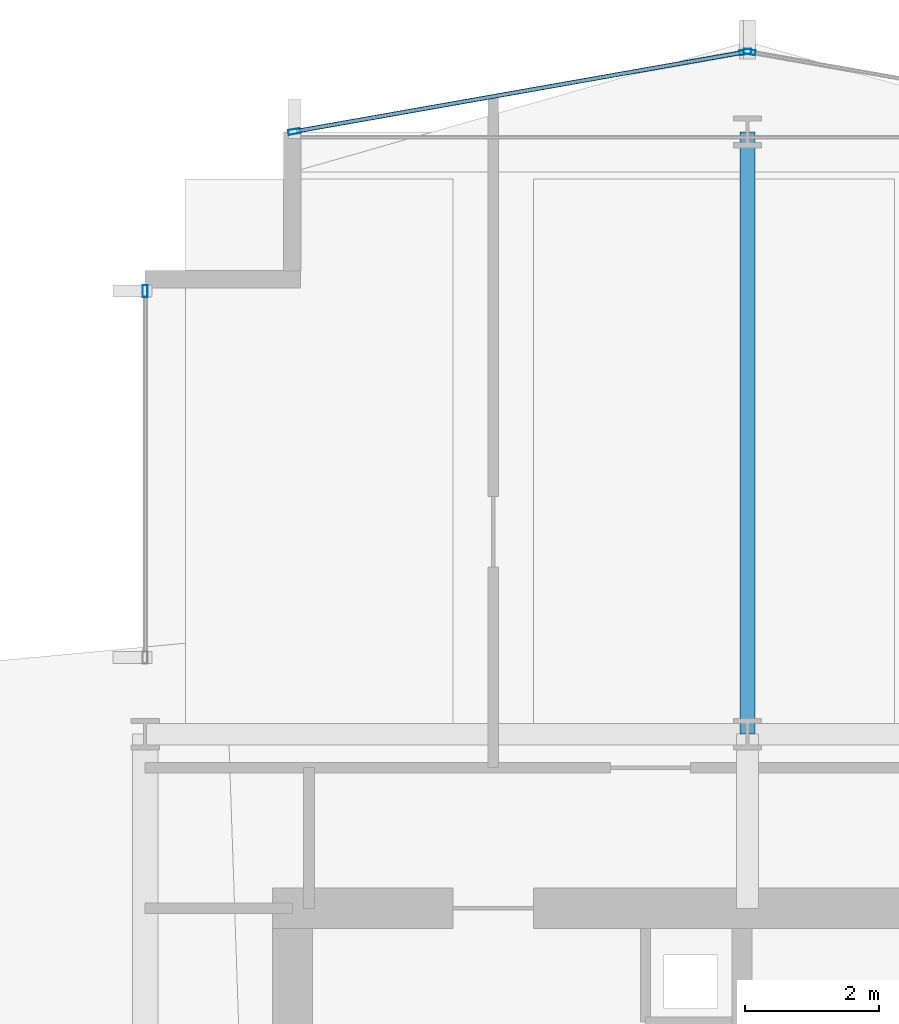
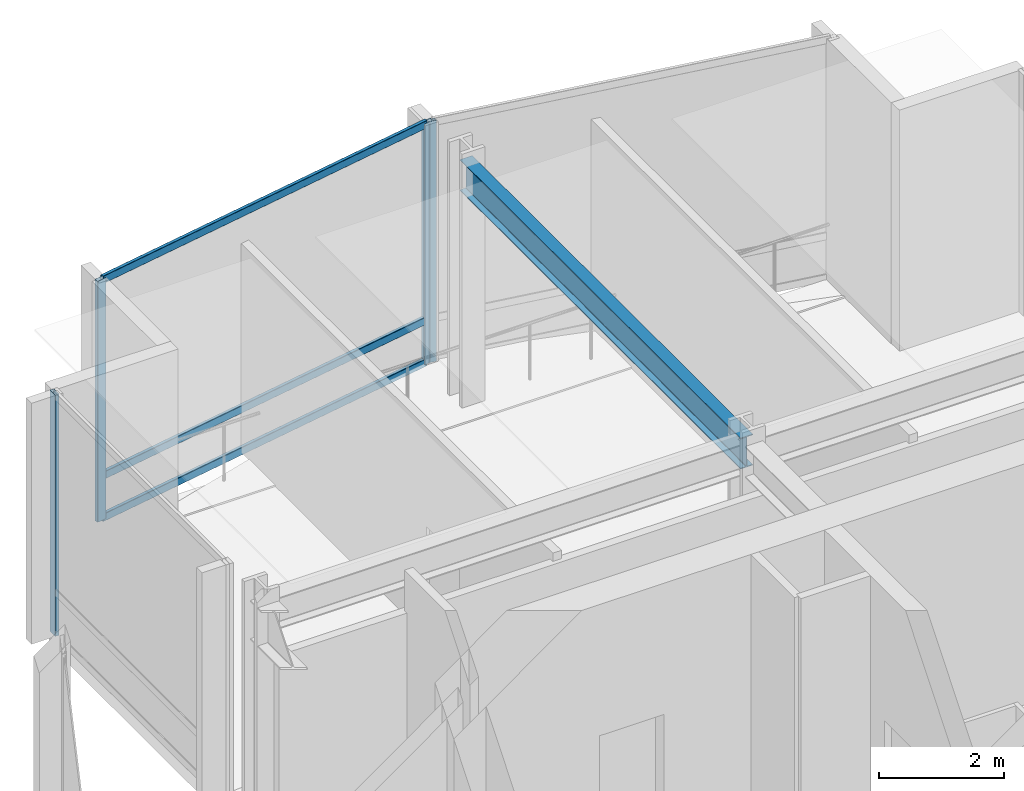
# One storey, part 25 of 39: 7 members, 1 beam, 3 elements without a shape of their own.
"""IFC4 building model written with IfcOpenShell, lengths in metres."""

from ifc_helpers import new_model, si_unit, direction, frame, origin, origin_2d, place, context, subcontext, project, spatial, hollow_rectangle, i_section, extrude, material, layer, layer_set, material_profile, profile_set, type_object, element, aggregate, save


model = new_model("IFC4")

# Units and contexts
model_context = context("Model", 3, precision=1e-05, world=origin(), true_north=direction((0.0, 1.0)))
body_context = subcontext(model_context, "Body", "Model", "MODEL_VIEW")
ifc_project = project(units=[si_unit("LENGTHUNIT", "METRE"), si_unit("AREAUNIT", "SQUARE_METRE"), si_unit("VOLUMEUNIT", "CUBIC_METRE"), si_unit("PLANEANGLEUNIT", "RADIAN"), si_unit("MASSUNIT", "GRAM", prefix="KILO")], contexts=[model_context])

# Site, building, storey
site_placement = place(None, origin())
site = spatial("IfcSite", under=ifc_project, at=site_placement, CompositionType="ELEMENT")
building_placement = place(site_placement, origin())
building = spatial("IfcBuilding", under=site, at=building_placement, Name="Solvaryn Broadcast Tower", CompositionType="ELEMENT")
storey_placement = place(building_placement, frame((0.0, 0.0, 84.10009765625)))
storey = spatial("IfcBuildingStorey", under=building, at=storey_placement, Name="L20", CompositionType="ELEMENT", Elevation=84.10009765625)

# Beam
ifc_material_1 = material(Name="Steel ASTM A992 Grade 50", Category="steel")
ifc_material_profile_1 = material_profile(ifc_material_1, i_section(OverallWidth=0.22802734375, OverallDepth=0.60791015625, WebThickness=0.01123046875, FlangeThickness=0.017333984375, FilletRadius=0.014892578125, at=origin_2d()))
ifc_profile_set_1 = profile_set([ifc_material_profile_1], Name="Steel ASTM A992 Grade 50")
beam_type = type_object("IfcBeamType", Name="BM-B2-W24X76", PredefinedType="BEAM", material=ifc_profile_set_1)
beam_placement = place(storey_placement, frame((18.0, 45.0, 4.416015625), z_axis=(0.0, 1.0, 0.0), x_axis=(-1.0, 0.0, 0.0)))
element("IfcBeam", 1, at=beam_placement, inside=storey, type_object=beam_type, Name="L20 Primary Beam Y (45-54 @ X=18)", PredefinedType="BEAM", context=body_context, shape_type="SweptSolid", body=[
    extrude(i_section(OverallWidth=0.22802734375, OverallDepth=0.60791015625, WebThickness=0.01123046875, FlangeThickness=0.017333984375, FilletRadius=0.014892578125, at=origin_2d()), origin(), (0.0, 0.0, 1.0), 9.0),
])

# Curtain wall, member
ifc_material_2 = material(Name="Aluminium and Terracotta Unitised Curtain Wall", Category="masonry")
ifc_layer = layer(ifc_material_2, 0.25)
ifc_layer_set = layer_set([ifc_layer], Name="CW-SYS4-SKYGARDEN")
curtain_wall_type = type_object("IfcCurtainWallType", Name="CW-SYS4-SKYGARDEN", PredefinedType="NOTDEFINED", material=ifc_layer_set)
curtain_wall_1_placement = place(storey_placement, origin())
curtain_wall_1 = element("IfcCurtainWall", 2, at=curtain_wall_1_placement, inside=storey, type_object=curtain_wall_type, Name="L20 Curtain Wall W2", PredefinedType="NOTDEFINED")
ifc_material_3 = material(Name="Anodised Aluminium 6063-T6", Category="aluminium")
ifc_material_profile_2 = material_profile(ifc_material_3, hollow_rectangle(XDim=0.074951171875, YDim=0.179931640625, WallThickness=0.00390625, InnerFilletRadius=0.00390625, OuterFilletRadius=0.008056640625, at=origin_2d()))
ifc_profile_set_2 = profile_set([ifc_material_profile_2], Name="Anodised Aluminium 6063-T6")
member_type_1 = type_object("IfcMemberType", Name="CW-MUL-180", PredefinedType="MULLION", material=ifc_profile_set_2)
member_1_placement = place(storey_placement, frame((9.0, 51.6201171875, 0.0), z_axis=(0.0, 0.0, 1.0), x_axis=(-1.0, 0.0, 0.0)))
member_1 = element("IfcMember", 3, at=member_1_placement, type_object=member_type_1, Name="CWS4 mullion 2", PredefinedType="MULLION", context=body_context, shape_type="SweptSolid", body=[
    extrude(hollow_rectangle(XDim=0.074951171875, YDim=0.179931640625, WallThickness=0.00390625, InnerFilletRadius=0.00390625, OuterFilletRadius=0.008056640625, at=origin_2d()), origin(), (0.0, 0.0, 1.0), 4.719970703125),
])
aggregate(curtain_wall_1, [member_1])

curtain_wall_2_placement = place(storey_placement, origin())
curtain_wall_2 = element("IfcCurtainWall", 4, at=curtain_wall_2_placement, inside=storey, type_object=curtain_wall_type, Name="L20 Curtain Wall NT1", PredefinedType="NOTDEFINED")
member_2_placement = place(storey_placement, frame((18.029541015625, 55.19482421875, 0.0), z_axis=(0.0, 0.0, 1.0), x_axis=(-0.173785333901, -0.984783558819, 0.0)))
member_2 = element("IfcMember", 5, at=member_2_placement, type_object=member_type_1, Name="CWS4 mullion 2", PredefinedType="MULLION", context=body_context, shape_type="SweptSolid", body=[
    extrude(hollow_rectangle(XDim=0.074951171875, YDim=0.179931640625, WallThickness=0.00390625, InnerFilletRadius=0.00390625, OuterFilletRadius=0.008056640625, at=origin_2d()), origin(), (0.0, 0.0, 1.0), 4.719970703125),
])
aggregate(curtain_wall_2, [member_2])

# Curtain wall, members
curtain_wall_3_placement = place(storey_placement, origin())
curtain_wall_3 = element("IfcCurtainWall", 6, at=curtain_wall_3_placement, inside=storey, type_object=curtain_wall_type, Name="L20 Curtain Wall NT2", PredefinedType="NOTDEFINED")
member_3_placement = place(storey_placement, frame((17.970458984375, 55.19482421875, 0.0), z_axis=(0.0, 0.0, 1.0), x_axis=(0.173785333901, -0.984783558819, 0.0)))
member_3 = element("IfcMember", 7, at=member_3_placement, type_object=member_type_1, Name="CWS4 mullion 1", PredefinedType="MULLION", context=body_context, shape_type="SweptSolid", body=[
    extrude(hollow_rectangle(XDim=0.074951171875, YDim=0.179931640625, WallThickness=0.00390625, InnerFilletRadius=0.00390625, OuterFilletRadius=0.008056640625, at=origin_2d()), origin(), (0.0, 0.0, 1.0), 4.719970703125),
])
member_4_placement = place(storey_placement, frame((11.2294921875, 54.005126953125, 0.0), z_axis=(0.0, 0.0, 1.0), x_axis=(0.173785333901, -0.984783558819, 0.0)))
member_4 = element("IfcMember", 8, at=member_4_placement, type_object=member_type_1, Name="CWS4 mullion 2", PredefinedType="MULLION", context=body_context, shape_type="SweptSolid", body=[
    extrude(hollow_rectangle(XDim=0.074951171875, YDim=0.179931640625, WallThickness=0.00390625, InnerFilletRadius=0.00390625, OuterFilletRadius=0.008056640625, at=origin_2d()), origin(), (0.0, 0.0, 1.0), 4.719970703125),
])
ifc_material_4 = material(Name="Anodised Aluminium 6063-T6", Category="aluminium")
ifc_material_profile_3 = material_profile(ifc_material_4, hollow_rectangle(XDim=0.06494140625, YDim=0.14990234375, WallThickness=0.00390625, InnerFilletRadius=0.00390625, OuterFilletRadius=0.008056640625, at=origin_2d()))
ifc_profile_set_3 = profile_set([ifc_material_profile_3], Name="Anodised Aluminium 6063-T6")
member_type_2 = type_object("IfcMemberType", Name="CW-TRN-150", PredefinedType="USERDEFINED", material=ifc_profile_set_3)
member_5_placement = place(storey_placement, frame((17.94091796875, 55.189453125, 0.02978515625), z_axis=(-0.984788629673, -0.173756596613, 0.0), x_axis=(0.173756596613, -0.984788629673, 0.0)))
member_5 = element("IfcMember", 9, at=member_5_placement, type_object=member_type_2, Name="CWS4 transom 1.1", ObjectType="TRANSOM", PredefinedType="USERDEFINED", context=body_context, shape_type="SweptSolid", body=[
    extrude(hollow_rectangle(XDim=0.06494140625, YDim=0.14990234375, WallThickness=0.00390625, InnerFilletRadius=0.00390625, OuterFilletRadius=0.008056640625, at=origin_2d()), origin(), (0.0, 0.0, 1.0), 6.78515625),
])
member_6_placement = place(storey_placement, frame((17.94091796875, 55.189453125, 0.849853515625), z_axis=(-0.984788629673, -0.173756596613, 0.0), x_axis=(0.173756596613, -0.984788629673, 0.0)))
member_6 = element("IfcMember", 10, at=member_6_placement, type_object=member_type_2, Name="CWS4 transom 1.2", ObjectType="TRANSOM", PredefinedType="USERDEFINED", context=body_context, shape_type="SweptSolid", body=[
    extrude(hollow_rectangle(XDim=0.06494140625, YDim=0.14990234375, WallThickness=0.00390625, InnerFilletRadius=0.00390625, OuterFilletRadius=0.008056640625, at=origin_2d()), origin(), (0.0, 0.0, 1.0), 6.78515625),
])
member_7_placement = place(storey_placement, frame((17.94091796875, 55.189453125, 4.68994140625), z_axis=(-0.984788629673, -0.173756596613, 0.0), x_axis=(0.173756596613, -0.984788629673, 0.0)))
member_7 = element("IfcMember", 11, at=member_7_placement, type_object=member_type_2, Name="CWS4 transom 1.3", ObjectType="TRANSOM", PredefinedType="USERDEFINED", context=body_context, shape_type="SweptSolid", body=[
    extrude(hollow_rectangle(XDim=0.06494140625, YDim=0.14990234375, WallThickness=0.00390625, InnerFilletRadius=0.00390625, OuterFilletRadius=0.008056640625, at=origin_2d()), origin(), (0.0, 0.0, 1.0), 6.78515625),
])
aggregate(curtain_wall_3, [member_3, member_4, member_5, member_6, member_7])

save(model, "model.ifc")
